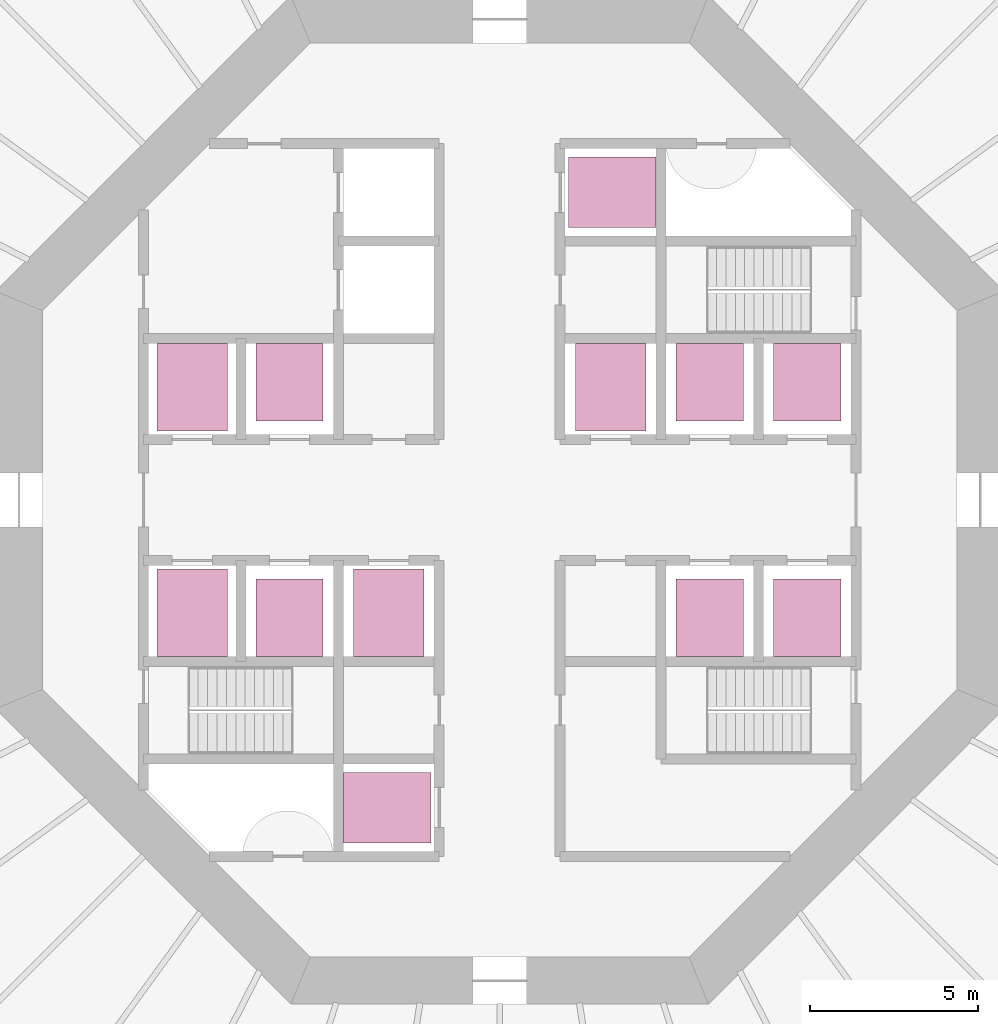
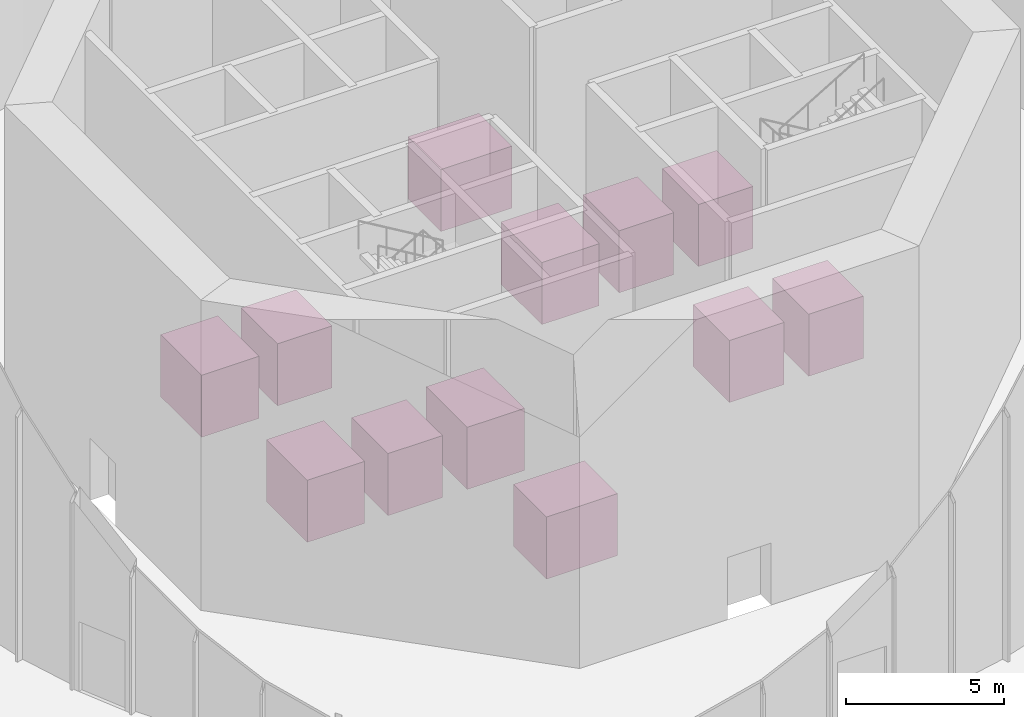
# One storey, part 12 of 12: 12 transport elements.
"""IFC4 building model written with IfcOpenShell, lengths in metres."""

from ifc_helpers import new_model, si_unit, direction, frame, origin, origin_2d, place, context, subcontext, project, spatial, rectangle, extrude, material, type_object, element, save


model = new_model("IFC4")

# Units and contexts
model_context = context("Model", 3, precision=1e-05, world=origin(), true_north=direction((0.0, 1.0)))
body_context = subcontext(model_context, "Body", "Model", "MODEL_VIEW")
ifc_project = project(units=[si_unit("LENGTHUNIT", "METRE"), si_unit("AREAUNIT", "SQUARE_METRE"), si_unit("VOLUMEUNIT", "CUBIC_METRE"), si_unit("PLANEANGLEUNIT", "RADIAN"), si_unit("MASSUNIT", "GRAM", prefix="KILO")], contexts=[model_context])

# Site, building, storey
site_placement = place(None, origin())
site = spatial("IfcSite", under=ifc_project, at=site_placement, CompositionType="ELEMENT")
building_placement = place(site_placement, origin())
building = spatial("IfcBuilding", under=site, at=building_placement, Name="Entoto Ring Tower", CompositionType="ELEMENT")
storey_placement = place(building_placement, origin())
storey = spatial("IfcBuildingStorey", under=building, at=storey_placement, Name="L00", CompositionType="ELEMENT", Elevation=0.0)

# Transport elements
ifc_material_1 = material(Name="Steel S355", Category="steel")
transport_element_type_1 = type_object("IfcTransportElementType", Name="Observation lift 2100 x 2600 2500 kg", PredefinedType="ELEVATOR", material=ifc_material_1)
for number, where, z_axis, x_axis, name in (
    (1, (93.300048828125, 83.35009765625, 0.0), (0.0, 0.0, 1.0), (1.0, 0.0, 0.0), "Lift OB1"),
    (2, (86.699951171875, 76.64990234375, 0.0), (0.0, 0.0, 1.0), (1.0, 0.0, 0.0), "Lift OB2"),
):
    element("IfcTransportElement", number, at=place(storey_placement, frame(where, z_axis=z_axis, x_axis=x_axis)), inside=storey, type_object=transport_element_type_1, Name=name, PredefinedType="ELEVATOR", context=body_context, shape_type="SweptSolid", body=[
        extrude(rectangle(XDim=2.10009765625, YDim=2.60009765625, at=origin_2d()), origin(), (0.0, 0.0, 1.0), 2.39990234375),
    ])
ifc_material_2 = material(Name="Steel S355", Category="steel")
transport_element_type_2 = type_object("IfcTransportElementType", Name="Passenger lift 2000 x 2300 1800 kg", PredefinedType="ELEVATOR", material=ifc_material_2)
for number, where, z_axis, x_axis, name in (
    (3, (96.25, 83.5, 0.0), (0.0, 0.0, 1.0), (1.0, 0.0, 0.0), "Lift LB1-LR"),
    (4, (99.14990234375, 83.5, 0.0), (0.0, 0.0, 1.0), (1.0, 0.0, 0.0), "Lift LB2-LR"),
    (5, (83.75, 83.5, 0.0), (0.0, 0.0, 1.0), (1.0, 0.0, 0.0), "Lift LB3-LR"),
    (6, (96.25, 76.5, 0.0), (0.0, 0.0, 1.0), (1.0, 0.0, 0.0), "Lift LB4-LR"),
    (7, (99.14990234375, 76.5, 0.0), (0.0, 0.0, 1.0), (1.0, 0.0, 0.0), "Lift LB5-LR"),
    (8, (83.75, 76.5, 0.0), (0.0, 0.0, 1.0), (1.0, 0.0, 0.0), "Lift LB6-LR"),
):
    element("IfcTransportElement", number, at=place(storey_placement, frame(where, z_axis=z_axis, x_axis=x_axis)), inside=storey, type_object=transport_element_type_2, Name=name, PredefinedType="ELEVATOR", context=body_context, shape_type="SweptSolid", body=[
        extrude(rectangle(XDim=2.0, YDim=2.300048828125, at=origin_2d()), origin(), (0.0, 0.0, 1.0), 2.39990234375),
    ])
ifc_material_3 = material(Name="Steel S355", Category="steel")
transport_element_type_3 = type_object("IfcTransportElementType", Name="Shuttle lift 2100 x 2600 3200 kg", PredefinedType="ELEVATOR", material=ifc_material_3)
for number, where, z_axis, x_axis, name in (
    (9, (80.85009765625, 83.35009765625, 0.0), (0.0, 0.0, 1.0), (1.0, 0.0, 0.0), "Lift SH1"),
    (10, (80.85009765625, 76.64990234375, 0.0), (0.0, 0.0, 1.0), (1.0, 0.0, 0.0), "Lift SH2"),
):
    element("IfcTransportElement", number, at=place(storey_placement, frame(where, z_axis=z_axis, x_axis=x_axis)), inside=storey, type_object=transport_element_type_3, Name=name, PredefinedType="ELEVATOR", context=body_context, shape_type="SweptSolid", body=[
        extrude(rectangle(XDim=2.10009765625, YDim=2.60009765625, at=origin_2d()), origin(), (0.0, 0.0, 1.0), 2.39990234375),
    ])
for number, where, z_axis, x_axis, name in (
    (11, (93.35009765625, 89.14990234375, 0.0), (0.0, 0.0, 1.0), (1.0, 0.0, 0.0), "Lift SH3"),
    (12, (86.64990234375, 70.85009765625, 0.0), (0.0, 0.0, 1.0), (1.0, 0.0, 0.0), "Lift SH4"),
):
    element("IfcTransportElement", number, at=place(storey_placement, frame(where, z_axis=z_axis, x_axis=x_axis)), inside=storey, type_object=transport_element_type_3, Name=name, PredefinedType="ELEVATOR", context=body_context, shape_type="SweptSolid", body=[
        extrude(rectangle(XDim=2.60009765625, YDim=2.10009765625, at=origin_2d()), origin(), (0.0, 0.0, 1.0), 2.39990234375),
    ])

save(model, "model.ifc")
